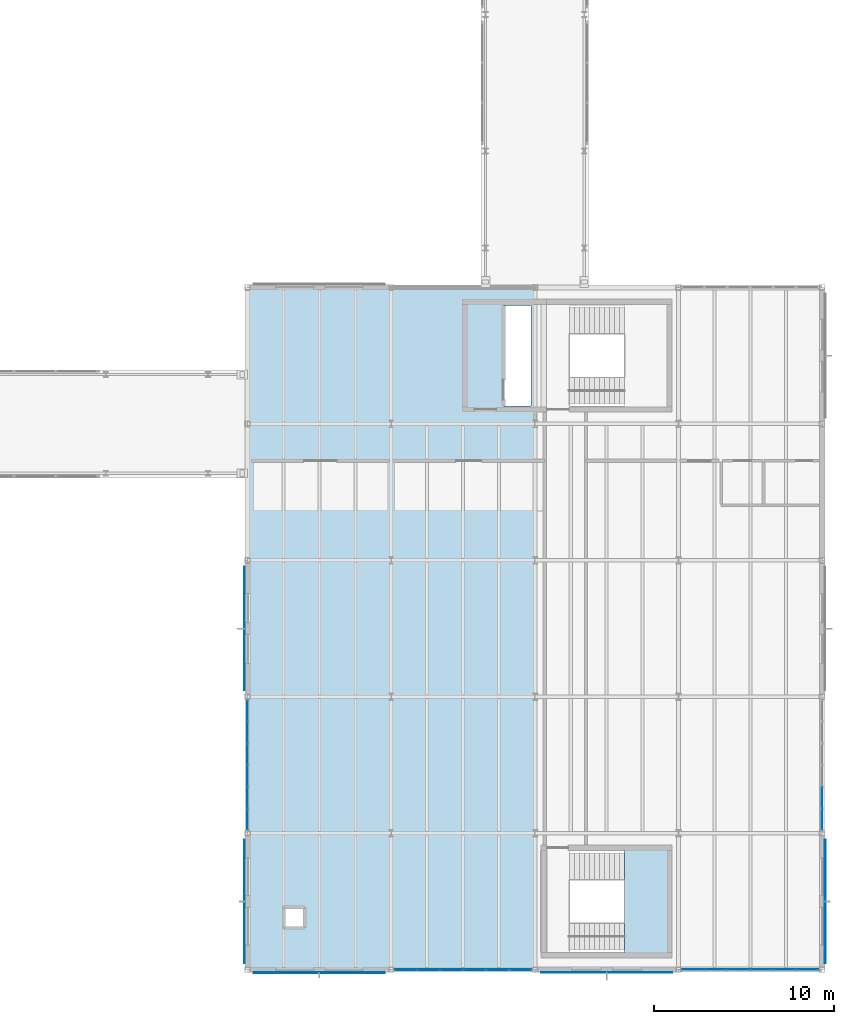
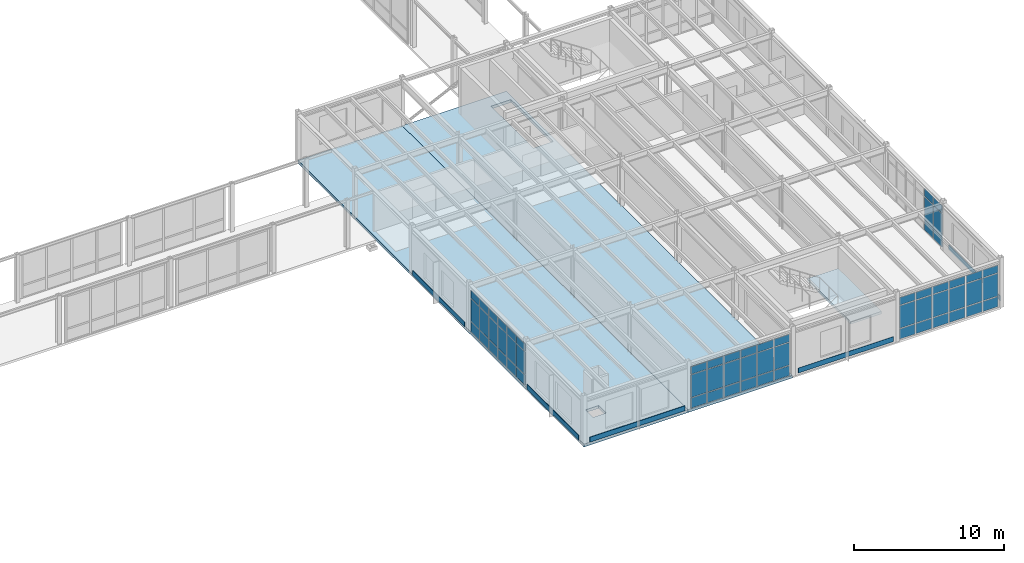
# One storey, part 129 of 165: 65 plates, 3 slabs, 5 elements without a shape of their own.
"""IFC4 building model written with IfcOpenShell, lengths in metres."""

import ifcopenshell
import ifcopenshell.guid

model = None  # the IFC model being written
_history = None  # IfcOwnerHistory: only IFC2X3 demands one
_inside = {}  # id of a spatial element -> (the spatial element, [elements in it])
_under = {}  # id of a project, library or spatial element -> (it, [spatial elements below it])
_declared = {}  # id of a project -> (the project, [libraries it declares])
_typed = {}  # id of a type object -> (the type object, [elements of that type])
_made_of = {}  # id of a material, layer set ... -> (it, [elements and type objects made of it])


def new_model(schema):
    """Start an empty IFC model of exactly this schema.

    Asked for "IFC4X3", IfcOpenShell would pick the latest addendum, in which some entities
    have other attributes; the version numbers below select the first issue.
    IFC2X3 requires an IfcOwnerHistory on every rooted entity: one is made here for all.
    """
    global model, _history
    if schema == "IFC4X3":
        model = ifcopenshell.file(schema_version=(4, 3, 0, 0))
    else:
        model = ifcopenshell.file(schema=schema)
    _inside.clear()
    _under.clear()
    _declared.clear()
    _typed.clear()
    _made_of.clear()
    _history = None
    if model.schema == "IFC2X3":
        org = make("IfcOrganization", Name="unknown")
        user = make(
            "IfcPersonAndOrganization",
            ThePerson=make("IfcPerson", FamilyName="unknown"),
            TheOrganization=org,
        )
        app = make(
            "IfcApplication",
            ApplicationDeveloper=org,
            Version="unknown",
            ApplicationFullName="unknown",
            ApplicationIdentifier="unknown",
        )
        _history = make(
            "IfcOwnerHistory",
            OwningUser=user,
            OwningApplication=app,
            ChangeAction="ADDED",
            CreationDate=0,
        )
    return model


def make(cls, **values):
    """One entity of the class cls with the attributes given. An attribute that is None is left unset."""
    return model.create_entity(
        cls, **{name: value for name, value in values.items() if value is not None}
    )


def rooted(cls, **values):
    """An entity with a GlobalId (a new one), such as an element, a storey or a relation."""
    return make(cls, GlobalId=ifcopenshell.guid.new(), OwnerHistory=_history, **values)


def si_unit(unit_type, name, prefix=None):
    """IfcSIUnit, for example si_unit("LENGTHUNIT", "METRE", prefix="MILLI")."""
    return make("IfcSIUnit", UnitType=unit_type, Prefix=prefix, Name=name)


def assignment(units):
    """IfcUnitAssignment: the units of a project."""
    return None if units is None else make("IfcUnitAssignment", Units=units)


def point(xyz):
    """IfcCartesianPoint."""
    return None if xyz is None else make("IfcCartesianPoint", Coordinates=xyz)


def direction(xyz):
    """IfcDirection."""
    return None if xyz is None else make("IfcDirection", DirectionRatios=xyz)


def frame(location, z_axis=None, x_axis=None):
    """IfcAxis2Placement3D, a coordinate frame: its origin and axes. An axis left out is left unset."""
    return make(
        "IfcAxis2Placement3D",
        Location=point(location),
        Axis=direction(z_axis),
        RefDirection=direction(x_axis),
    )


def frame_2d(location, x_axis=None):
    """IfcAxis2Placement2D, a coordinate frame in the plane: its origin and x axis."""
    return make(
        "IfcAxis2Placement2D", Location=point(location), RefDirection=direction(x_axis)
    )


def origin():
    """The frame at (0, 0, 0) with its axes left unset."""
    return frame((0.0, 0.0, 0.0))


def origin_2d():
    """The frame at (0, 0) in the plane with its x axis left unset."""
    return frame_2d((0.0, 0.0))


def place(relative_to, where):
    """IfcLocalPlacement: puts the frame where relative to a parent placement (None: the world)."""
    return make(
        "IfcLocalPlacement", PlacementRelTo=relative_to, RelativePlacement=where
    )


def context(
    kind, dimensions, precision=None, world=None, true_north=None, identifier=None
):
    """IfcGeometricRepresentationContext, for example the 3D "Model" context."""
    return make(
        "IfcGeometricRepresentationContext",
        ContextIdentifier=identifier,
        ContextType=kind,
        CoordinateSpaceDimension=dimensions,
        Precision=precision,
        WorldCoordinateSystem=world,
        TrueNorth=true_north,
    )


def subcontext(parent, identifier, kind, view, scale=None):
    """IfcGeometricRepresentationSubContext, for example "Body" below "Model"."""
    return make(
        "IfcGeometricRepresentationSubContext",
        ContextIdentifier=identifier,
        ContextType=kind,
        ParentContext=parent,
        TargetScale=scale,
        TargetView=view,
    )


def project(units=None, contexts=None):
    """IfcProject with its units and contexts."""
    return rooted(
        "IfcProject",
        Name="project",
        RepresentationContexts=contexts,
        UnitsInContext=assignment(units),
    )


def spatial(cls, under=None, at=None, **own):
    """A site, building, storey or space (cls), placed at a placement, below another one or the project."""
    s = rooted(cls, ObjectPlacement=at, **own)
    if under is not None:
        _under.setdefault(under.id(), (under, []))[1].append(s)
    return s


def polyline(points):
    """IfcPolyline through the points."""
    return make("IfcPolyline", Points=[point(p) for p in points])


def profile(cls, at=None, kind="AREA", **sizes):
    """A parametric profile (cls). Its sizes go by their IFC names, for example OverallWidth=200.0."""
    return make(cls, ProfileType=kind, Position=at, **sizes)


def rectangle(**sizes):
    """IfcRectangleProfileDef."""
    return profile("IfcRectangleProfileDef", **sizes)


def outline(outer, holes=None, kind="AREA"):
    """IfcArbitraryClosedProfileDef: a profile drawn as a closed curve; with holes, ...WithVoids."""
    if holes is None:
        return make("IfcArbitraryClosedProfileDef", ProfileType=kind, OuterCurve=outer)
    return make(
        "IfcArbitraryProfileDefWithVoids",
        ProfileType=kind,
        OuterCurve=outer,
        InnerCurves=holes,
    )


def extrude(swept, where, along, depth):
    """IfcExtrudedAreaSolid: the profile swept, set in the frame where, extruded along a direction by depth."""
    return make(
        "IfcExtrudedAreaSolid",
        SweptArea=swept,
        Position=where,
        ExtrudedDirection=direction(along),
        Depth=depth,
    )


def shape(context_of_items, identifier, shape_type, items):
    """IfcShapeRepresentation: the items that make up one representation, for example the "Body"."""
    return make(
        "IfcShapeRepresentation",
        ContextOfItems=context_of_items,
        RepresentationIdentifier=identifier,
        RepresentationType=shape_type,
        Items=items,
    )


def material(Name=None, Category=None):
    """IfcMaterial."""
    return make("IfcMaterial", Name=Name, Category=Category)


def layer(
    of_material, thickness, ventilated=None, Name=None, Category=None, Priority=None
):
    """IfcMaterialLayer: one layer of a wall or slab, of a material (None: an air gap)."""
    return make(
        "IfcMaterialLayer",
        Material=of_material,
        LayerThickness=thickness,
        IsVentilated=ventilated,
        Name=Name,
        Category=Category,
        Priority=Priority,
    )


def layer_set(layers, Name=None):
    """IfcMaterialLayerSet."""
    return make("IfcMaterialLayerSet", MaterialLayers=layers, LayerSetName=Name)


def made_of(thing, what):
    """Note that an element or type object is made of a material, layer set ...; save() writes the relation."""
    if what is not None:
        _made_of.setdefault(what.id(), (what, []))[1].append(thing)
    return thing


def type_object(cls, material=None, **own):
    """A type object (cls), such as IfcWallType, which elements share."""
    return made_of(rooted(cls, **own), material)


def element(
    cls,
    number,
    at=None,
    inside=None,
    cuts=None,
    type_object=None,
    material=None,
    context=None,
    identifier="Body",
    shape_type=None,
    held_by="IfcProductDefinitionShape",
    body=None,
    shapes=None,
    **own,
):
    """One element of the class cls, such as IfcWall. Its Tag is "e" and its number.

    at: its placement. inside: the storey or other place that contains it. cuts: it is an
    opening in that element (IfcRelVoidsElement). A single representation is given by context,
    identifier, shape_type and body (its items); several are given by shapes. held_by: the class
    of the entity that holds the representations. save() writes the other relations.
    """
    e = rooted(cls, Tag="e%d" % number, ObjectPlacement=at, **own)
    if body is not None:
        shapes = [shape(context, identifier, shape_type, body)]
    if shapes is not None:
        e.Representation = make(held_by, Representations=shapes)
    if inside is not None:
        _inside.setdefault(inside.id(), (inside, []))[1].append(e)
    if cuts is not None:
        rooted(
            "IfcRelVoidsElement", RelatingBuildingElement=cuts, RelatedOpeningElement=e
        )
    if type_object is not None:
        _typed.setdefault(type_object.id(), (type_object, []))[1].append(e)
    return made_of(e, material)


def aggregate(whole, parts):
    """IfcRelAggregates: a whole, such as a stair, and the parts it consists of."""
    return rooted("IfcRelAggregates", RelatingObject=whole, RelatedObjects=parts)


def save(model, path):
    """Write the relations noted so far, then the file.

    IfcRelAggregates (storeys below a building ...), IfcRelContainedInSpatialStructure (elements
    in a storey), IfcRelDefinesByType, IfcRelAssociatesMaterial and IfcRelDeclares: one each for
    every whole, place, type object, material and project.
    """
    for whole, parts in _under.values():
        aggregate(whole, parts)
    for where, things in _inside.values():
        rooted(
            "IfcRelContainedInSpatialStructure",
            RelatedElements=things,
            RelatingStructure=where,
        )
    for kind, things in _typed.values():
        rooted("IfcRelDefinesByType", RelatedObjects=things, RelatingType=kind)
    for what, things in _made_of.values():
        rooted("IfcRelAssociatesMaterial", RelatedObjects=things, RelatingMaterial=what)
    for by, libraries in _declared.values():
        rooted("IfcRelDeclares", RelatingContext=by, RelatedDefinitions=libraries)
    model.write(path)


model = new_model("IFC4")

# Units and contexts
model_context = context("Model", 3, precision=1e-05, world=origin(), true_north=direction((0.0, 1.0)))
body_context = subcontext(model_context, "Body", "Model", "MODEL_VIEW")
ifc_project = project(units=[si_unit("LENGTHUNIT", "METRE"), si_unit("AREAUNIT", "SQUARE_METRE"), si_unit("VOLUMEUNIT", "CUBIC_METRE"), si_unit("PLANEANGLEUNIT", "RADIAN"), si_unit("MASSUNIT", "GRAM", prefix="KILO")], contexts=[model_context])

# Site, building, storey
site_placement = place(None, origin())
site = spatial("IfcSite", under=ifc_project, at=site_placement, CompositionType="ELEMENT")
building_placement = place(site_placement, origin())
building = spatial("IfcBuilding", under=site, at=building_placement, Name="Montecoro Central Library", CompositionType="ELEMENT")
storey_placement = place(building_placement, frame((0.0, 0.0, 5.10009765625)))
storey = spatial("IfcBuildingStorey", under=building, at=storey_placement, Name="L01", CompositionType="ELEMENT", Elevation=5.10009765625)

# Curtain wall, plates
ifc_material_1 = material(Name="Bronze-anodised aluminium and low-E glazing", Category="aluminium")
ifc_layer_1 = layer(ifc_material_1, 0.159912109375)
ifc_layer_set_1 = layer_set([ifc_layer_1], Name="Bronze-anodised aluminium and low-E glazing")
curtain_wall_type_1 = type_object("IfcCurtainWallType", Name="CWT-060", PredefinedType="NOTDEFINED", material=ifc_layer_set_1)
curtain_wall_1_placement = place(storey_placement, origin())
curtain_wall_1 = element("IfcCurtainWall", 1, at=curtain_wall_1_placement, inside=storey, type_object=curtain_wall_type_1, Name="V6-L01-CW-S3", PredefinedType="NOTDEFINED")
ifc_material_2 = material(Name="Laminated low-E double glazing", Category="glass")
ifc_layer_2 = layer(ifc_material_2, 0.02587890625)
ifc_layer_set_2 = layer_set([ifc_layer_2], Name="Laminated low-E double glazing")
plate_type_1 = type_object("IfcPlateType", Name="CWP-GLZ-01", PredefinedType="CURTAIN_PANEL", material=ifc_layer_set_2)
plate_1_placement = place(storey_placement, frame((165.80908203125, 5.0, 0.059814453125), z_axis=(0.0, 0.0, 1.0), x_axis=(1.0, 0.0, 0.0)))
plate_1 = element("IfcPlate", 2, at=plate_1_placement, type_object=plate_type_1, Name="CW-060 panel 1.1", PredefinedType="CURTAIN_PANEL", context=body_context, shape_type="SweptSolid", body=[
    extrude(rectangle(XDim=1.1923828125, YDim=0.02587890625, at=origin_2d()), origin(), (0.0, 0.0, 1.0), 0.81005859375),
])
plate_2_placement = place(storey_placement, frame((165.80908203125, 5.0, 0.9296875), z_axis=(0.0, 0.0, 1.0), x_axis=(1.0, 0.0, 0.0)))
plate_2 = element("IfcPlate", 3, at=plate_2_placement, type_object=plate_type_1, Name="CW-060 panel 1.2", PredefinedType="CURTAIN_PANEL", context=body_context, shape_type="SweptSolid", body=[
    extrude(rectangle(XDim=1.1923828125, YDim=0.02587890625, at=origin_2d()), origin(), (0.0, 0.0, 1.0), 1.820068359375),
])
plate_3_placement = place(storey_placement, frame((165.80908203125, 5.0, 2.81005859375), z_axis=(0.0, 0.0, 1.0), x_axis=(1.0, 0.0, 0.0)))
plate_3 = element("IfcPlate", 4, at=plate_3_placement, type_object=plate_type_1, Name="CW-060 panel 1.3", PredefinedType="CURTAIN_PANEL", context=body_context, shape_type="SweptSolid", body=[
    extrude(rectangle(XDim=1.1923828125, YDim=0.02587890625, at=origin_2d()), origin(), (0.0, 0.0, 1.0), 0.610107421875),
])
plate_4_placement = place(storey_placement, frame((167.076416015625, 5.0, 0.059814453125), z_axis=(0.0, 0.0, 1.0), x_axis=(1.0, 0.0, 0.0)))
plate_4 = element("IfcPlate", 5, at=plate_4_placement, type_object=plate_type_1, Name="CW-060 panel 2.1", PredefinedType="CURTAIN_PANEL", context=body_context, shape_type="SweptSolid", body=[
    extrude(rectangle(XDim=1.222412109375, YDim=0.02587890625, at=origin_2d()), origin(), (0.0, 0.0, 1.0), 0.81005859375),
])
plate_5_placement = place(storey_placement, frame((167.076416015625, 5.0, 0.9296875), z_axis=(0.0, 0.0, 1.0), x_axis=(1.0, 0.0, 0.0)))
plate_5 = element("IfcPlate", 6, at=plate_5_placement, type_object=plate_type_1, Name="CW-060 panel 2.2", PredefinedType="CURTAIN_PANEL", context=body_context, shape_type="SweptSolid", body=[
    extrude(rectangle(XDim=1.222412109375, YDim=0.02587890625, at=origin_2d()), origin(), (0.0, 0.0, 1.0), 1.820068359375),
])
plate_6_placement = place(storey_placement, frame((167.076416015625, 5.0, 2.81005859375), z_axis=(0.0, 0.0, 1.0), x_axis=(1.0, 0.0, 0.0)))
plate_6 = element("IfcPlate", 7, at=plate_6_placement, type_object=plate_type_1, Name="CW-060 panel 2.3", PredefinedType="CURTAIN_PANEL", context=body_context, shape_type="SweptSolid", body=[
    extrude(rectangle(XDim=1.222412109375, YDim=0.02587890625, at=origin_2d()), origin(), (0.0, 0.0, 1.0), 0.610107421875),
])
plate_7_placement = place(storey_placement, frame((168.35888671875, 5.0, 0.059814453125), z_axis=(0.0, 0.0, 1.0), x_axis=(1.0, 0.0, 0.0)))
plate_7 = element("IfcPlate", 8, at=plate_7_placement, type_object=plate_type_1, Name="CW-060 panel 3.1", PredefinedType="CURTAIN_PANEL", context=body_context, shape_type="SweptSolid", body=[
    extrude(rectangle(XDim=1.222412109375, YDim=0.02587890625, at=origin_2d()), origin(), (0.0, 0.0, 1.0), 0.81005859375),
])
plate_8_placement = place(storey_placement, frame((168.35888671875, 5.0, 0.9296875), z_axis=(0.0, 0.0, 1.0), x_axis=(1.0, 0.0, 0.0)))
plate_8 = element("IfcPlate", 9, at=plate_8_placement, type_object=plate_type_1, Name="CW-060 panel 3.2", PredefinedType="CURTAIN_PANEL", context=body_context, shape_type="SweptSolid", body=[
    extrude(rectangle(XDim=1.222412109375, YDim=0.02587890625, at=origin_2d()), origin(), (0.0, 0.0, 1.0), 1.820068359375),
])
plate_9_placement = place(storey_placement, frame((168.35888671875, 5.0, 2.81005859375), z_axis=(0.0, 0.0, 1.0), x_axis=(1.0, 0.0, 0.0)))
plate_9 = element("IfcPlate", 10, at=plate_9_placement, type_object=plate_type_1, Name="CW-060 panel 3.3", PredefinedType="CURTAIN_PANEL", context=body_context, shape_type="SweptSolid", body=[
    extrude(rectangle(XDim=1.222412109375, YDim=0.02587890625, at=origin_2d()), origin(), (0.0, 0.0, 1.0), 0.610107421875),
])
plate_10_placement = place(storey_placement, frame((169.64111328125, 5.0, 0.059814453125), z_axis=(0.0, 0.0, 1.0), x_axis=(1.0, 0.0, 0.0)))
plate_10 = element("IfcPlate", 11, at=plate_10_placement, type_object=plate_type_1, Name="CW-060 panel 4.1", PredefinedType="CURTAIN_PANEL", context=body_context, shape_type="SweptSolid", body=[
    extrude(rectangle(XDim=1.222412109375, YDim=0.02587890625, at=origin_2d()), origin(), (0.0, 0.0, 1.0), 0.81005859375),
])
plate_11_placement = place(storey_placement, frame((169.64111328125, 5.0, 0.9296875), z_axis=(0.0, 0.0, 1.0), x_axis=(1.0, 0.0, 0.0)))
plate_11 = element("IfcPlate", 12, at=plate_11_placement, type_object=plate_type_1, Name="CW-060 panel 4.2", PredefinedType="CURTAIN_PANEL", context=body_context, shape_type="SweptSolid", body=[
    extrude(rectangle(XDim=1.222412109375, YDim=0.02587890625, at=origin_2d()), origin(), (0.0, 0.0, 1.0), 1.820068359375),
])
plate_12_placement = place(storey_placement, frame((169.64111328125, 5.0, 2.81005859375), z_axis=(0.0, 0.0, 1.0), x_axis=(1.0, 0.0, 0.0)))
plate_12 = element("IfcPlate", 13, at=plate_12_placement, type_object=plate_type_1, Name="CW-060 panel 4.3", PredefinedType="CURTAIN_PANEL", context=body_context, shape_type="SweptSolid", body=[
    extrude(rectangle(XDim=1.222412109375, YDim=0.02587890625, at=origin_2d()), origin(), (0.0, 0.0, 1.0), 0.610107421875),
])
plate_13_placement = place(storey_placement, frame((170.923583984375, 5.0, 0.059814453125), z_axis=(0.0, 0.0, 1.0), x_axis=(1.0, 0.0, 0.0)))
plate_13 = element("IfcPlate", 14, at=plate_13_placement, type_object=plate_type_1, Name="CW-060 panel 5.1", PredefinedType="CURTAIN_PANEL", context=body_context, shape_type="SweptSolid", body=[
    extrude(rectangle(XDim=1.222412109375, YDim=0.02587890625, at=origin_2d()), origin(), (0.0, 0.0, 1.0), 0.81005859375),
])
plate_14_placement = place(storey_placement, frame((170.923583984375, 5.0, 0.9296875), z_axis=(0.0, 0.0, 1.0), x_axis=(1.0, 0.0, 0.0)))
plate_14 = element("IfcPlate", 15, at=plate_14_placement, type_object=plate_type_1, Name="CW-060 panel 5.2", PredefinedType="CURTAIN_PANEL", context=body_context, shape_type="SweptSolid", body=[
    extrude(rectangle(XDim=1.222412109375, YDim=0.02587890625, at=origin_2d()), origin(), (0.0, 0.0, 1.0), 1.820068359375),
])
plate_15_placement = place(storey_placement, frame((170.923583984375, 5.0, 2.81005859375), z_axis=(0.0, 0.0, 1.0), x_axis=(1.0, 0.0, 0.0)))
plate_15 = element("IfcPlate", 16, at=plate_15_placement, type_object=plate_type_1, Name="CW-060 panel 5.3", PredefinedType="CURTAIN_PANEL", context=body_context, shape_type="SweptSolid", body=[
    extrude(rectangle(XDim=1.222412109375, YDim=0.02587890625, at=origin_2d()), origin(), (0.0, 0.0, 1.0), 0.610107421875),
])
plate_16_placement = place(storey_placement, frame((172.19091796875, 5.0, 0.059814453125), z_axis=(0.0, 0.0, 1.0), x_axis=(1.0, 0.0, 0.0)))
plate_16 = element("IfcPlate", 17, at=plate_16_placement, type_object=plate_type_1, Name="CW-060 panel 6.1", PredefinedType="CURTAIN_PANEL", context=body_context, shape_type="SweptSolid", body=[
    extrude(rectangle(XDim=1.1923828125, YDim=0.02587890625, at=origin_2d()), origin(), (0.0, 0.0, 1.0), 0.81005859375),
])
plate_17_placement = place(storey_placement, frame((172.19091796875, 5.0, 0.9296875), z_axis=(0.0, 0.0, 1.0), x_axis=(1.0, 0.0, 0.0)))
plate_17 = element("IfcPlate", 18, at=plate_17_placement, type_object=plate_type_1, Name="CW-060 panel 6.2", PredefinedType="CURTAIN_PANEL", context=body_context, shape_type="SweptSolid", body=[
    extrude(rectangle(XDim=1.1923828125, YDim=0.02587890625, at=origin_2d()), origin(), (0.0, 0.0, 1.0), 1.820068359375),
])
plate_18_placement = place(storey_placement, frame((172.19091796875, 5.0, 2.81005859375), z_axis=(0.0, 0.0, 1.0), x_axis=(1.0, 0.0, 0.0)))
plate_18 = element("IfcPlate", 19, at=plate_18_placement, type_object=plate_type_1, Name="CW-060 panel 6.3", PredefinedType="CURTAIN_PANEL", context=body_context, shape_type="SweptSolid", body=[
    extrude(rectangle(XDim=1.1923828125, YDim=0.02587890625, at=origin_2d()), origin(), (0.0, 0.0, 1.0), 0.610107421875),
])
aggregate(curtain_wall_1, [plate_1, plate_2, plate_3, plate_4, plate_5, plate_6, plate_7, plate_8, plate_9, plate_10, plate_11, plate_12, plate_13, plate_14, plate_15, plate_16, plate_17, plate_18])

curtain_wall_2_placement = place(storey_placement, origin())
curtain_wall_2 = element("IfcCurtainWall", 20, at=curtain_wall_2_placement, inside=storey, type_object=curtain_wall_type_1, Name="V6-L01-CW-S1", PredefinedType="NOTDEFINED")
ifc_layer_3 = layer(ifc_material_2, 0.0380859375)
ifc_layer_set_3 = layer_set([ifc_layer_3], Name="Laminated low-E double glazing")
plate_type_2 = type_object("IfcPlateType", Name="CWP-GLZ-04", PredefinedType="CURTAIN_PANEL", material=ifc_layer_set_3)
plate_19_placement = place(storey_placement, frame((149.80908203125, 5.0, 0.059814453125), z_axis=(0.0, 0.0, 1.0), x_axis=(1.0, 0.0, 0.0)))
plate_19 = element("IfcPlate", 21, at=plate_19_placement, type_object=plate_type_2, Name="CW-060 panel 1.1", PredefinedType="CURTAIN_PANEL", context=body_context, shape_type="SweptSolid", body=[
    extrude(rectangle(XDim=1.1923828125, YDim=0.0380859375, at=origin_2d()), origin(), (0.0, 0.0, 1.0), 0.81005859375),
])
plate_20_placement = place(storey_placement, frame((149.80908203125, 5.0, 0.9296875), z_axis=(0.0, 0.0, 1.0), x_axis=(1.0, 0.0, 0.0)))
plate_20 = element("IfcPlate", 22, at=plate_20_placement, type_object=plate_type_2, Name="CW-060 panel 1.2", PredefinedType="CURTAIN_PANEL", context=body_context, shape_type="SweptSolid", body=[
    extrude(rectangle(XDim=1.1923828125, YDim=0.0380859375, at=origin_2d()), origin(), (0.0, 0.0, 1.0), 1.820068359375),
])
plate_21_placement = place(storey_placement, frame((149.80908203125, 5.0, 2.81005859375), z_axis=(0.0, 0.0, 1.0), x_axis=(1.0, 0.0, 0.0)))
plate_21 = element("IfcPlate", 23, at=plate_21_placement, type_object=plate_type_2, Name="CW-060 panel 1.3", PredefinedType="CURTAIN_PANEL", context=body_context, shape_type="SweptSolid", body=[
    extrude(rectangle(XDim=1.1923828125, YDim=0.0380859375, at=origin_2d()), origin(), (0.0, 0.0, 1.0), 0.610107421875),
])
plate_22_placement = place(storey_placement, frame((151.076416015625, 5.0, 0.059814453125), z_axis=(0.0, 0.0, 1.0), x_axis=(1.0, 0.0, 0.0)))
plate_22 = element("IfcPlate", 24, at=plate_22_placement, type_object=plate_type_2, Name="CW-060 panel 2.1", PredefinedType="CURTAIN_PANEL", context=body_context, shape_type="SweptSolid", body=[
    extrude(rectangle(XDim=1.222412109375, YDim=0.0380859375, at=origin_2d()), origin(), (0.0, 0.0, 1.0), 0.81005859375),
])
plate_23_placement = place(storey_placement, frame((151.076416015625, 5.0, 0.9296875), z_axis=(0.0, 0.0, 1.0), x_axis=(1.0, 0.0, 0.0)))
plate_23 = element("IfcPlate", 25, at=plate_23_placement, type_object=plate_type_2, Name="CW-060 panel 2.2", PredefinedType="CURTAIN_PANEL", context=body_context, shape_type="SweptSolid", body=[
    extrude(rectangle(XDim=1.222412109375, YDim=0.0380859375, at=origin_2d()), origin(), (0.0, 0.0, 1.0), 1.820068359375),
])
plate_24_placement = place(storey_placement, frame((151.076416015625, 5.0, 2.81005859375), z_axis=(0.0, 0.0, 1.0), x_axis=(1.0, 0.0, 0.0)))
plate_24 = element("IfcPlate", 26, at=plate_24_placement, type_object=plate_type_2, Name="CW-060 panel 2.3", PredefinedType="CURTAIN_PANEL", context=body_context, shape_type="SweptSolid", body=[
    extrude(rectangle(XDim=1.222412109375, YDim=0.0380859375, at=origin_2d()), origin(), (0.0, 0.0, 1.0), 0.610107421875),
])
plate_25_placement = place(storey_placement, frame((152.35888671875, 5.0, 0.059814453125), z_axis=(0.0, 0.0, 1.0), x_axis=(1.0, 0.0, 0.0)))
plate_25 = element("IfcPlate", 27, at=plate_25_placement, type_object=plate_type_2, Name="CW-060 panel 3.1", PredefinedType="CURTAIN_PANEL", context=body_context, shape_type="SweptSolid", body=[
    extrude(rectangle(XDim=1.222412109375, YDim=0.0380859375, at=origin_2d()), origin(), (0.0, 0.0, 1.0), 0.81005859375),
])
plate_26_placement = place(storey_placement, frame((152.35888671875, 5.0, 0.9296875), z_axis=(0.0, 0.0, 1.0), x_axis=(1.0, 0.0, 0.0)))
plate_26 = element("IfcPlate", 28, at=plate_26_placement, type_object=plate_type_2, Name="CW-060 panel 3.2", PredefinedType="CURTAIN_PANEL", context=body_context, shape_type="SweptSolid", body=[
    extrude(rectangle(XDim=1.222412109375, YDim=0.0380859375, at=origin_2d()), origin(), (0.0, 0.0, 1.0), 1.820068359375),
])
plate_27_placement = place(storey_placement, frame((152.35888671875, 5.0, 2.81005859375), z_axis=(0.0, 0.0, 1.0), x_axis=(1.0, 0.0, 0.0)))
plate_27 = element("IfcPlate", 29, at=plate_27_placement, type_object=plate_type_2, Name="CW-060 panel 3.3", PredefinedType="CURTAIN_PANEL", context=body_context, shape_type="SweptSolid", body=[
    extrude(rectangle(XDim=1.222412109375, YDim=0.0380859375, at=origin_2d()), origin(), (0.0, 0.0, 1.0), 0.610107421875),
])
plate_28_placement = place(storey_placement, frame((153.64111328125, 5.0, 0.059814453125), z_axis=(0.0, 0.0, 1.0), x_axis=(1.0, 0.0, 0.0)))
plate_28 = element("IfcPlate", 30, at=plate_28_placement, type_object=plate_type_2, Name="CW-060 panel 4.1", PredefinedType="CURTAIN_PANEL", context=body_context, shape_type="SweptSolid", body=[
    extrude(rectangle(XDim=1.222412109375, YDim=0.0380859375, at=origin_2d()), origin(), (0.0, 0.0, 1.0), 0.81005859375),
])
plate_29_placement = place(storey_placement, frame((153.64111328125, 5.0, 0.9296875), z_axis=(0.0, 0.0, 1.0), x_axis=(1.0, 0.0, 0.0)))
plate_29 = element("IfcPlate", 31, at=plate_29_placement, type_object=plate_type_2, Name="CW-060 panel 4.2", PredefinedType="CURTAIN_PANEL", context=body_context, shape_type="SweptSolid", body=[
    extrude(rectangle(XDim=1.222412109375, YDim=0.0380859375, at=origin_2d()), origin(), (0.0, 0.0, 1.0), 1.820068359375),
])
plate_30_placement = place(storey_placement, frame((153.64111328125, 5.0, 2.81005859375), z_axis=(0.0, 0.0, 1.0), x_axis=(1.0, 0.0, 0.0)))
plate_30 = element("IfcPlate", 32, at=plate_30_placement, type_object=plate_type_2, Name="CW-060 panel 4.3", PredefinedType="CURTAIN_PANEL", context=body_context, shape_type="SweptSolid", body=[
    extrude(rectangle(XDim=1.222412109375, YDim=0.0380859375, at=origin_2d()), origin(), (0.0, 0.0, 1.0), 0.610107421875),
])
plate_31_placement = place(storey_placement, frame((154.923583984375, 5.0, 0.059814453125), z_axis=(0.0, 0.0, 1.0), x_axis=(1.0, 0.0, 0.0)))
plate_31 = element("IfcPlate", 33, at=plate_31_placement, type_object=plate_type_2, Name="CW-060 panel 5.1", PredefinedType="CURTAIN_PANEL", context=body_context, shape_type="SweptSolid", body=[
    extrude(rectangle(XDim=1.222412109375, YDim=0.0380859375, at=origin_2d()), origin(), (0.0, 0.0, 1.0), 0.81005859375),
])
plate_32_placement = place(storey_placement, frame((154.923583984375, 5.0, 0.9296875), z_axis=(0.0, 0.0, 1.0), x_axis=(1.0, 0.0, 0.0)))
plate_32 = element("IfcPlate", 34, at=plate_32_placement, type_object=plate_type_2, Name="CW-060 panel 5.2", PredefinedType="CURTAIN_PANEL", context=body_context, shape_type="SweptSolid", body=[
    extrude(rectangle(XDim=1.222412109375, YDim=0.0380859375, at=origin_2d()), origin(), (0.0, 0.0, 1.0), 1.820068359375),
])
plate_33_placement = place(storey_placement, frame((154.923583984375, 5.0, 2.81005859375), z_axis=(0.0, 0.0, 1.0), x_axis=(1.0, 0.0, 0.0)))
plate_33 = element("IfcPlate", 35, at=plate_33_placement, type_object=plate_type_2, Name="CW-060 panel 5.3", PredefinedType="CURTAIN_PANEL", context=body_context, shape_type="SweptSolid", body=[
    extrude(rectangle(XDim=1.222412109375, YDim=0.0380859375, at=origin_2d()), origin(), (0.0, 0.0, 1.0), 0.610107421875),
])
plate_34_placement = place(storey_placement, frame((156.19091796875, 5.0, 0.059814453125), z_axis=(0.0, 0.0, 1.0), x_axis=(1.0, 0.0, 0.0)))
plate_34 = element("IfcPlate", 36, at=plate_34_placement, type_object=plate_type_2, Name="CW-060 panel 6.1", PredefinedType="CURTAIN_PANEL", context=body_context, shape_type="SweptSolid", body=[
    extrude(rectangle(XDim=1.1923828125, YDim=0.0380859375, at=origin_2d()), origin(), (0.0, 0.0, 1.0), 0.81005859375),
])
plate_35_placement = place(storey_placement, frame((156.19091796875, 5.0, 0.9296875), z_axis=(0.0, 0.0, 1.0), x_axis=(1.0, 0.0, 0.0)))
plate_35 = element("IfcPlate", 37, at=plate_35_placement, type_object=plate_type_2, Name="CW-060 panel 6.2", PredefinedType="CURTAIN_PANEL", context=body_context, shape_type="SweptSolid", body=[
    extrude(rectangle(XDim=1.1923828125, YDim=0.0380859375, at=origin_2d()), origin(), (0.0, 0.0, 1.0), 1.820068359375),
])
plate_36_placement = place(storey_placement, frame((156.19091796875, 5.0, 2.81005859375), z_axis=(0.0, 0.0, 1.0), x_axis=(1.0, 0.0, 0.0)))
plate_36 = element("IfcPlate", 38, at=plate_36_placement, type_object=plate_type_2, Name="CW-060 panel 6.3", PredefinedType="CURTAIN_PANEL", context=body_context, shape_type="SweptSolid", body=[
    extrude(rectangle(XDim=1.1923828125, YDim=0.0380859375, at=origin_2d()), origin(), (0.0, 0.0, 1.0), 0.610107421875),
])
aggregate(curtain_wall_2, [plate_19, plate_20, plate_21, plate_22, plate_23, plate_24, plate_25, plate_26, plate_27, plate_28, plate_29, plate_30, plate_31, plate_32, plate_33, plate_34, plate_35, plate_36])

ifc_layer_4 = layer(ifc_material_1, 0.159912109375)
ifc_layer_set_4 = layer_set([ifc_layer_4], Name="Bronze-anodised aluminium and low-E glazing")
curtain_wall_type_2 = type_object("IfcCurtainWallType", Name="CWT-061", PredefinedType="NOTDEFINED", material=ifc_layer_set_4)
curtain_wall_3_placement = place(storey_placement, origin())
curtain_wall_3 = element("IfcCurtainWall", 39, at=curtain_wall_3_placement, inside=storey, type_object=curtain_wall_type_2, Name="V6-L01-CW-E1", PredefinedType="NOTDEFINED")
plate_37_placement = place(storey_placement, frame((173.0, 13.375732421875, 0.059814453125), z_axis=(0.0, 0.0, 1.0), x_axis=(0.0, 1.0, 0.0)))
plate_37 = element("IfcPlate", 40, at=plate_37_placement, type_object=plate_type_2, Name="CW-061 panel 1.1", PredefinedType="CURTAIN_PANEL", context=body_context, shape_type="SweptSolid", body=[
    extrude(rectangle(XDim=1.125732421875, YDim=0.0380859375, at=origin_2d()), origin(), (0.0, 0.0, 1.0), 0.81005859375),
])
plate_38_placement = place(storey_placement, frame((173.0, 13.375732421875, 0.9296875), z_axis=(0.0, 0.0, 1.0), x_axis=(0.0, 1.0, 0.0)))
plate_38 = element("IfcPlate", 41, at=plate_38_placement, type_object=plate_type_2, Name="CW-061 panel 1.2", PredefinedType="CURTAIN_PANEL", context=body_context, shape_type="SweptSolid", body=[
    extrude(rectangle(XDim=1.125732421875, YDim=0.0380859375, at=origin_2d()), origin(), (0.0, 0.0, 1.0), 1.820068359375),
])
plate_39_placement = place(storey_placement, frame((173.0, 13.375732421875, 2.81005859375), z_axis=(0.0, 0.0, 1.0), x_axis=(0.0, 1.0, 0.0)))
plate_39 = element("IfcPlate", 42, at=plate_39_placement, type_object=plate_type_2, Name="CW-061 panel 1.3", PredefinedType="CURTAIN_PANEL", context=body_context, shape_type="SweptSolid", body=[
    extrude(rectangle(XDim=1.125732421875, YDim=0.0380859375, at=origin_2d()), origin(), (0.0, 0.0, 1.0), 0.610107421875),
])
plate_40_placement = place(storey_placement, frame((173.0, 14.576416015625, 0.059814453125), z_axis=(0.0, 0.0, 1.0), x_axis=(0.0, 1.0, 0.0)))
plate_40 = element("IfcPlate", 43, at=plate_40_placement, type_object=plate_type_2, Name="CW-061 panel 2.1", PredefinedType="CURTAIN_PANEL", context=body_context, shape_type="SweptSolid", body=[
    extrude(rectangle(XDim=1.15576171875, YDim=0.0380859375, at=origin_2d()), origin(), (0.0, 0.0, 1.0), 0.81005859375),
])
plate_41_placement = place(storey_placement, frame((173.0, 14.576416015625, 0.9296875), z_axis=(0.0, 0.0, 1.0), x_axis=(0.0, 1.0, 0.0)))
plate_41 = element("IfcPlate", 44, at=plate_41_placement, type_object=plate_type_2, Name="CW-061 panel 2.2", PredefinedType="CURTAIN_PANEL", context=body_context, shape_type="SweptSolid", body=[
    extrude(rectangle(XDim=1.15576171875, YDim=0.0380859375, at=origin_2d()), origin(), (0.0, 0.0, 1.0), 1.820068359375),
])
plate_42_placement = place(storey_placement, frame((173.0, 14.576416015625, 2.81005859375), z_axis=(0.0, 0.0, 1.0), x_axis=(0.0, 1.0, 0.0)))
plate_42 = element("IfcPlate", 45, at=plate_42_placement, type_object=plate_type_2, Name="CW-061 panel 2.3", PredefinedType="CURTAIN_PANEL", context=body_context, shape_type="SweptSolid", body=[
    extrude(rectangle(XDim=1.15576171875, YDim=0.0380859375, at=origin_2d()), origin(), (0.0, 0.0, 1.0), 0.610107421875),
])
aggregate(curtain_wall_3, [plate_37, plate_38, plate_39, plate_40, plate_41, plate_42])

ifc_layer_5 = layer(ifc_material_1, 0.159912109375)
ifc_layer_set_5 = layer_set([ifc_layer_5], Name="Bronze-anodised aluminium and low-E glazing")
curtain_wall_type_3 = type_object("IfcCurtainWallType", Name="CWT-063", PredefinedType="NOTDEFINED", material=ifc_layer_set_5)
curtain_wall_4_placement = place(storey_placement, origin())
curtain_wall_4 = element("IfcCurtainWall", 46, at=curtain_wall_4_placement, inside=storey, type_object=curtain_wall_type_3, Name="V6-L01-CW-W1", PredefinedType="NOTDEFINED")
plate_43_placement = place(storey_placement, frame((141.0, 19.424072265625, 0.059814453125), z_axis=(0.0, 0.0, 1.0), x_axis=(0.0, -1.0, 0.0)))
plate_43 = element("IfcPlate", 47, at=plate_43_placement, type_object=plate_type_2, Name="CW-063 panel 1.1", PredefinedType="CURTAIN_PANEL", context=body_context, shape_type="SweptSolid", body=[
    extrude(rectangle(XDim=1.125732421875, YDim=0.0380859375, at=origin_2d()), origin(), (0.0, 0.0, 1.0), 0.81005859375),
])
plate_44_placement = place(storey_placement, frame((141.0, 19.424072265625, 0.9296875), z_axis=(0.0, 0.0, 1.0), x_axis=(0.0, -1.0, 0.0)))
plate_44 = element("IfcPlate", 48, at=plate_44_placement, type_object=plate_type_2, Name="CW-063 panel 1.2", PredefinedType="CURTAIN_PANEL", context=body_context, shape_type="SweptSolid", body=[
    extrude(rectangle(XDim=1.125732421875, YDim=0.0380859375, at=origin_2d()), origin(), (0.0, 0.0, 1.0), 1.820068359375),
])
plate_45_placement = place(storey_placement, frame((141.0, 19.424072265625, 2.81005859375), z_axis=(0.0, 0.0, 1.0), x_axis=(0.0, -1.0, 0.0)))
plate_45 = element("IfcPlate", 49, at=plate_45_placement, type_object=plate_type_2, Name="CW-063 panel 1.3", PredefinedType="CURTAIN_PANEL", context=body_context, shape_type="SweptSolid", body=[
    extrude(rectangle(XDim=1.125732421875, YDim=0.0380859375, at=origin_2d()), origin(), (0.0, 0.0, 1.0), 0.610107421875),
])
plate_46_placement = place(storey_placement, frame((141.0, 18.223388671875, 0.059814453125), z_axis=(0.0, 0.0, 1.0), x_axis=(0.0, -1.0, 0.0)))
plate_46 = element("IfcPlate", 50, at=plate_46_placement, type_object=plate_type_2, Name="CW-063 panel 2.1", PredefinedType="CURTAIN_PANEL", context=body_context, shape_type="SweptSolid", body=[
    extrude(rectangle(XDim=1.15576171875, YDim=0.0380859375, at=origin_2d()), origin(), (0.0, 0.0, 1.0), 0.81005859375),
])
plate_47_placement = place(storey_placement, frame((141.0, 18.223388671875, 0.9296875), z_axis=(0.0, 0.0, 1.0), x_axis=(0.0, -1.0, 0.0)))
plate_47 = element("IfcPlate", 51, at=plate_47_placement, type_object=plate_type_2, Name="CW-063 panel 2.2", PredefinedType="CURTAIN_PANEL", context=body_context, shape_type="SweptSolid", body=[
    extrude(rectangle(XDim=1.15576171875, YDim=0.0380859375, at=origin_2d()), origin(), (0.0, 0.0, 1.0), 1.820068359375),
])
plate_48_placement = place(storey_placement, frame((141.0, 18.223388671875, 2.81005859375), z_axis=(0.0, 0.0, 1.0), x_axis=(0.0, -1.0, 0.0)))
plate_48 = element("IfcPlate", 52, at=plate_48_placement, type_object=plate_type_2, Name="CW-063 panel 2.3", PredefinedType="CURTAIN_PANEL", context=body_context, shape_type="SweptSolid", body=[
    extrude(rectangle(XDim=1.15576171875, YDim=0.0380859375, at=origin_2d()), origin(), (0.0, 0.0, 1.0), 0.610107421875),
])
plate_49_placement = place(storey_placement, frame((141.0, 17.0078125, 0.059814453125), z_axis=(0.0, 0.0, 1.0), x_axis=(0.0, -1.0, 0.0)))
plate_49 = element("IfcPlate", 53, at=plate_49_placement, type_object=plate_type_2, Name="CW-063 panel 3.1", PredefinedType="CURTAIN_PANEL", context=body_context, shape_type="SweptSolid", body=[
    extrude(rectangle(XDim=1.15576171875, YDim=0.0380859375, at=origin_2d()), origin(), (0.0, 0.0, 1.0), 0.81005859375),
])
plate_50_placement = place(storey_placement, frame((141.0, 17.0078125, 0.9296875), z_axis=(0.0, 0.0, 1.0), x_axis=(0.0, -1.0, 0.0)))
plate_50 = element("IfcPlate", 54, at=plate_50_placement, type_object=plate_type_2, Name="CW-063 panel 3.2", PredefinedType="CURTAIN_PANEL", context=body_context, shape_type="SweptSolid", body=[
    extrude(rectangle(XDim=1.15576171875, YDim=0.0380859375, at=origin_2d()), origin(), (0.0, 0.0, 1.0), 1.820068359375),
])
plate_51_placement = place(storey_placement, frame((141.0, 17.0078125, 2.81005859375), z_axis=(0.0, 0.0, 1.0), x_axis=(0.0, -1.0, 0.0)))
plate_51 = element("IfcPlate", 55, at=plate_51_placement, type_object=plate_type_2, Name="CW-063 panel 3.3", PredefinedType="CURTAIN_PANEL", context=body_context, shape_type="SweptSolid", body=[
    extrude(rectangle(XDim=1.15576171875, YDim=0.0380859375, at=origin_2d()), origin(), (0.0, 0.0, 1.0), 0.610107421875),
])
plate_52_placement = place(storey_placement, frame((141.0, 15.792236328125, 0.059814453125), z_axis=(0.0, 0.0, 1.0), x_axis=(0.0, -1.0, 0.0)))
plate_52 = element("IfcPlate", 56, at=plate_52_placement, type_object=plate_type_2, Name="CW-063 panel 4.1", PredefinedType="CURTAIN_PANEL", context=body_context, shape_type="SweptSolid", body=[
    extrude(rectangle(XDim=1.15576171875, YDim=0.0380859375, at=origin_2d()), origin(), (0.0, 0.0, 1.0), 0.81005859375),
])
plate_53_placement = place(storey_placement, frame((141.0, 15.792236328125, 0.9296875), z_axis=(0.0, 0.0, 1.0), x_axis=(0.0, -1.0, 0.0)))
plate_53 = element("IfcPlate", 57, at=plate_53_placement, type_object=plate_type_2, Name="CW-063 panel 4.2", PredefinedType="CURTAIN_PANEL", context=body_context, shape_type="SweptSolid", body=[
    extrude(rectangle(XDim=1.15576171875, YDim=0.0380859375, at=origin_2d()), origin(), (0.0, 0.0, 1.0), 1.820068359375),
])
plate_54_placement = place(storey_placement, frame((141.0, 15.792236328125, 2.81005859375), z_axis=(0.0, 0.0, 1.0), x_axis=(0.0, -1.0, 0.0)))
plate_54 = element("IfcPlate", 58, at=plate_54_placement, type_object=plate_type_2, Name="CW-063 panel 4.3", PredefinedType="CURTAIN_PANEL", context=body_context, shape_type="SweptSolid", body=[
    extrude(rectangle(XDim=1.15576171875, YDim=0.0380859375, at=origin_2d()), origin(), (0.0, 0.0, 1.0), 0.610107421875),
])
plate_55_placement = place(storey_placement, frame((141.0, 14.576416015625, 0.059814453125), z_axis=(0.0, 0.0, 1.0), x_axis=(0.0, -1.0, 0.0)))
plate_55 = element("IfcPlate", 59, at=plate_55_placement, type_object=plate_type_2, Name="CW-063 panel 5.1", PredefinedType="CURTAIN_PANEL", context=body_context, shape_type="SweptSolid", body=[
    extrude(rectangle(XDim=1.15576171875, YDim=0.0380859375, at=origin_2d()), origin(), (0.0, 0.0, 1.0), 0.81005859375),
])
plate_56_placement = place(storey_placement, frame((141.0, 14.576416015625, 0.9296875), z_axis=(0.0, 0.0, 1.0), x_axis=(0.0, -1.0, 0.0)))
plate_56 = element("IfcPlate", 60, at=plate_56_placement, type_object=plate_type_2, Name="CW-063 panel 5.2", PredefinedType="CURTAIN_PANEL", context=body_context, shape_type="SweptSolid", body=[
    extrude(rectangle(XDim=1.15576171875, YDim=0.0380859375, at=origin_2d()), origin(), (0.0, 0.0, 1.0), 1.820068359375),
])
plate_57_placement = place(storey_placement, frame((141.0, 14.576416015625, 2.81005859375), z_axis=(0.0, 0.0, 1.0), x_axis=(0.0, -1.0, 0.0)))
plate_57 = element("IfcPlate", 61, at=plate_57_placement, type_object=plate_type_2, Name="CW-063 panel 5.3", PredefinedType="CURTAIN_PANEL", context=body_context, shape_type="SweptSolid", body=[
    extrude(rectangle(XDim=1.15576171875, YDim=0.0380859375, at=origin_2d()), origin(), (0.0, 0.0, 1.0), 0.610107421875),
])
plate_58_placement = place(storey_placement, frame((141.0, 13.375732421875, 0.059814453125), z_axis=(0.0, 0.0, 1.0), x_axis=(0.0, -1.0, 0.0)))
plate_58 = element("IfcPlate", 62, at=plate_58_placement, type_object=plate_type_2, Name="CW-063 panel 6.1", PredefinedType="CURTAIN_PANEL", context=body_context, shape_type="SweptSolid", body=[
    extrude(rectangle(XDim=1.125732421875, YDim=0.0380859375, at=origin_2d()), origin(), (0.0, 0.0, 1.0), 0.81005859375),
])
plate_59_placement = place(storey_placement, frame((141.0, 13.375732421875, 0.9296875), z_axis=(0.0, 0.0, 1.0), x_axis=(0.0, -1.0, 0.0)))
plate_59 = element("IfcPlate", 63, at=plate_59_placement, type_object=plate_type_2, Name="CW-063 panel 6.2", PredefinedType="CURTAIN_PANEL", context=body_context, shape_type="SweptSolid", body=[
    extrude(rectangle(XDim=1.125732421875, YDim=0.0380859375, at=origin_2d()), origin(), (0.0, 0.0, 1.0), 1.820068359375),
])
plate_60_placement = place(storey_placement, frame((141.0, 13.375732421875, 2.81005859375), z_axis=(0.0, 0.0, 1.0), x_axis=(0.0, -1.0, 0.0)))
plate_60 = element("IfcPlate", 64, at=plate_60_placement, type_object=plate_type_2, Name="CW-063 panel 6.3", PredefinedType="CURTAIN_PANEL", context=body_context, shape_type="SweptSolid", body=[
    extrude(rectangle(XDim=1.125732421875, YDim=0.0380859375, at=origin_2d()), origin(), (0.0, 0.0, 1.0), 0.610107421875),
])
aggregate(curtain_wall_4, [plate_43, plate_44, plate_45, plate_46, plate_47, plate_48, plate_49, plate_50, plate_51, plate_52, plate_53, plate_54, plate_55, plate_56, plate_57, plate_58, plate_59, plate_60])

# Plates
ifc_material_3 = material(Name="Architectural bronze spandrel plate", Category="aluminium")
ifc_layer_6 = layer(ifc_material_3, 0.02197265625)
ifc_layer_set_6 = layer_set([ifc_layer_6], Name="Architectural bronze spandrel plate")
plate_type_3 = type_object("IfcPlateType", Name="PLT-SPN-01", PredefinedType="SHEET", material=ifc_layer_set_6)
plate_61_placement = place(storey_placement, frame((161.0, 4.833984375, 0.159912109375), z_axis=(0.0, 0.0, 1.0), x_axis=(1.0, 0.0, 0.0)))
element("IfcPlate", 65, at=plate_61_placement, inside=storey, type_object=plate_type_3, Name="V6-L01-SPN-S2", PredefinedType="SHEET", context=body_context, shape_type="SweptSolid", body=[
    extrude(rectangle(XDim=7.2939453125, YDim=0.02197265625, at=origin_2d()), origin(), (0.0, 0.0, 1.0), 0.39990234375),
])
plate_62_placement = place(storey_placement, frame((140.833984375, 24.0, 0.159912109375), z_axis=(0.0, 0.0, 1.0), x_axis=(0.0, -1.0, 0.0)))
element("IfcPlate", 66, at=plate_62_placement, inside=storey, type_object=plate_type_3, Name="V6-L01-SPN-W2", PredefinedType="SHEET", context=body_context, shape_type="SweptSolid", body=[
    extrude(rectangle(XDim=6.89404296875, YDim=0.02197265625, at=origin_2d()), origin(), (0.0, 0.0, 1.0), 0.39990234375),
])
ifc_layer_7 = layer(ifc_material_3, 0.035888671875)
ifc_layer_set_7 = layer_set([ifc_layer_7], Name="Architectural bronze spandrel plate")
plate_type_4 = type_object("IfcPlateType", Name="PLT-SPN-03", PredefinedType="SHEET", material=ifc_layer_set_7)
plate_63_placement = place(storey_placement, frame((145.0, 4.826904296875, 0.159912109375), z_axis=(0.0, 0.0, 1.0), x_axis=(1.0, 0.0, 0.0)))
element("IfcPlate", 67, at=plate_63_placement, inside=storey, type_object=plate_type_4, Name="V6-L01-SPN-S0", PredefinedType="SHEET", context=body_context, shape_type="SweptSolid", body=[
    extrude(rectangle(XDim=7.2939453125, YDim=0.035888671875, at=origin_2d()), origin(), (0.0, 0.0, 1.0), 0.39990234375),
])
for number, where, z_axis, x_axis, name in (
    (68, (173.173095703125, 8.800048828125, 0.159912109375), (0.0, 0.0, 1.0), (0.0, 1.0, 0.0), "V6-L01-SPN-E0"),
    (69, (140.826904296875, 8.800048828125, 0.159912109375), (0.0, 0.0, 1.0), (0.0, -1.0, 0.0), "V6-L01-SPN-W0"),
):
    element("IfcPlate", number, at=place(storey_placement, frame(where, z_axis=z_axis, x_axis=x_axis)), inside=storey, type_object=plate_type_4, Name=name, PredefinedType="SHEET", context=body_context, shape_type="SweptSolid", body=[
        extrude(rectangle(XDim=6.89404296875, YDim=0.035888671875, at=origin_2d()), origin(), (0.0, 0.0, 1.0), 0.39990234375),
    ])

# Slabs
ifc_material_4 = material(Name="Concrete C32/40", Category="concrete")
ifc_layer_8 = layer(ifc_material_4, 0.22509765625)
ifc_layer_set_8 = layer_set([ifc_layer_8], Name="Concrete C32/40")
slab_type_1 = type_object("IfcSlabType", Name="SL-FLR-225", PredefinedType="FLOOR", material=ifc_layer_set_8)
slab_1_placement = place(storey_placement, frame((0.0, 0.0, -0.22509765625)))
element("IfcSlab", 70, at=slab_1_placement, inside=storey, type_object=slab_type_1, Name="V6-L01-SL1", PredefinedType="FLOOR", context=body_context, shape_type="SweptSolid", body=[
    extrude(outline(polyline([(141.0, 5.0), (149.0, 5.0), (149.0, 43.0), (141.0, 43.0), (141.0, 5.0)]), holes=[polyline([(143.10009765625, 8.39990234375), (144.10009765625, 8.39990234375), (144.10009765625, 7.39990234375), (143.10009765625, 7.39990234375), (143.10009765625, 8.39990234375)])]), origin(), (0.0, 0.0, 1.0), 0.22509765625),
])
slab_2_placement = place(storey_placement, frame((0.0, 0.0, -0.22509765625)))
element("IfcSlab", 71, at=slab_2_placement, inside=storey, type_object=slab_type_1, Name="V6-L01-SL2", PredefinedType="FLOOR", context=body_context, shape_type="SweptSolid", body=[
    extrude(outline(polyline([(149.0, 5.0), (157.0, 5.0), (157.0, 43.0), (149.0, 43.0), (149.0, 5.0)]), holes=[polyline([(155.25, 42.0), (156.780029296875, 42.0), (156.780029296875, 36.39990234375), (155.25, 36.39990234375), (155.25, 42.0)])]), origin(), (0.0, 0.0, 1.0), 0.22509765625),
])

# Stair, slab
ifc_material_5 = material(Name="Concrete C35/45", Category="concrete")
stair_type = type_object("IfcStairType", Name="STR-RET-150", PredefinedType="HALF_TURN_STAIR", material=ifc_material_5)
stair_placement = place(storey_placement, origin())
stair = element("IfcStair", 72, at=stair_placement, inside=storey, type_object=stair_type, Name="C10-L01-STR", PredefinedType="HALF_TURN_STAIR")
ifc_layer_9 = layer(ifc_material_5, 0.199951171875)
ifc_layer_set_9 = layer_set([ifc_layer_9], Name="Concrete C35/45")
slab_type_2 = type_object("IfcSlabType", Name="SL-LND-200", PredefinedType="LANDING", material=ifc_layer_set_9)
slab_3_placement = place(storey_placement, frame((0.0, 0.0, 1.83984375)))
slab_3 = element("IfcSlab", 73, at=slab_3_placement, type_object=slab_type_2, Name="ST-10 landing 1", PredefinedType="LANDING", context=body_context, shape_type="SweptSolid", body=[
    extrude(outline(polyline([(162.0, 5.919921875), (164.3798828125, 5.919921875), (164.3798828125, 11.679931640625), (162.0, 11.679931640625), (162.0, 5.919921875)])), origin(), (0.0, 0.0, 1.0), 0.199951171875),
])
aggregate(stair, [slab_3])

save(model, "model.ifc")
